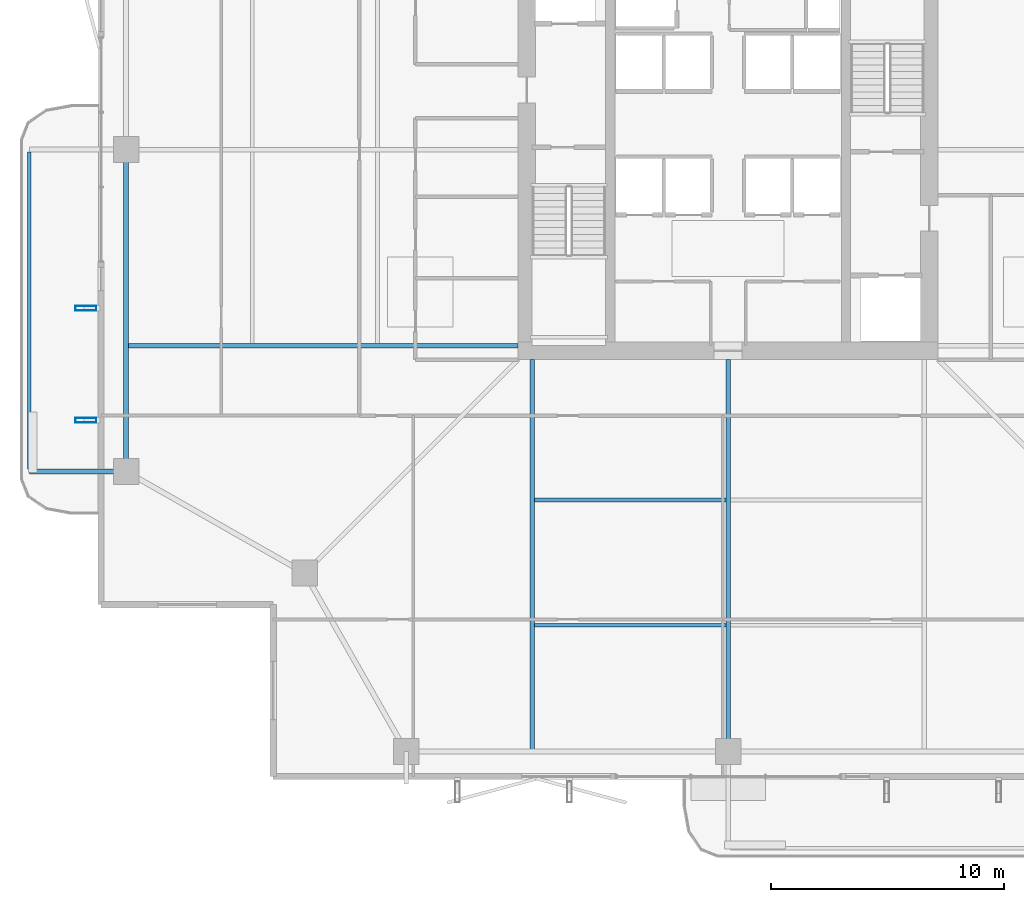
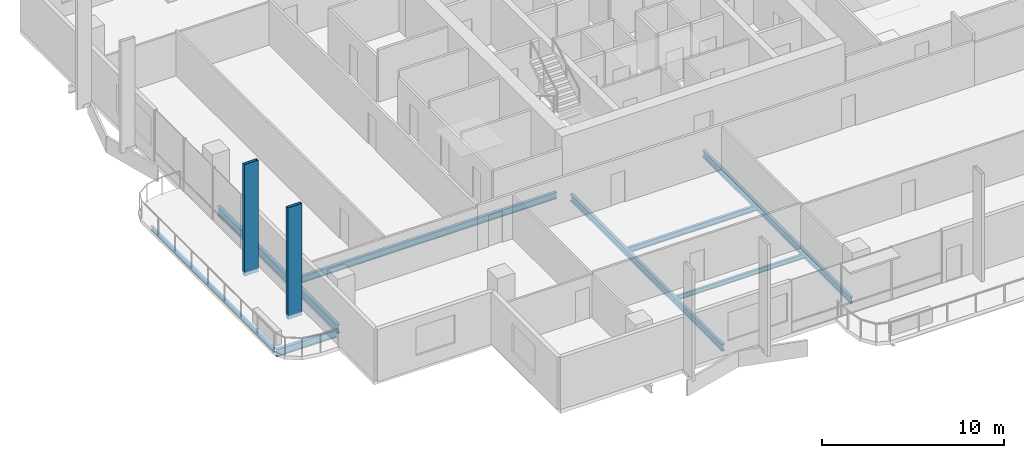
# One storey, part 3 of 24: 8 beams, 2 members.
"""IFC4 building model written with IfcOpenShell, lengths in metres."""

import ifcopenshell
import ifcopenshell.guid

model = None  # the IFC model being written
_history = None  # IfcOwnerHistory: only IFC2X3 demands one
_inside = {}  # id of a spatial element -> (the spatial element, [elements in it])
_under = {}  # id of a project, library or spatial element -> (it, [spatial elements below it])
_declared = {}  # id of a project -> (the project, [libraries it declares])
_typed = {}  # id of a type object -> (the type object, [elements of that type])
_made_of = {}  # id of a material, layer set ... -> (it, [elements and type objects made of it])


def new_model(schema):
    """Start an empty IFC model of exactly this schema.

    Asked for "IFC4X3", IfcOpenShell would pick the latest addendum, in which some entities
    have other attributes; the version numbers below select the first issue.
    IFC2X3 requires an IfcOwnerHistory on every rooted entity: one is made here for all.
    """
    global model, _history
    if schema == "IFC4X3":
        model = ifcopenshell.file(schema_version=(4, 3, 0, 0))
    else:
        model = ifcopenshell.file(schema=schema)
    _inside.clear()
    _under.clear()
    _declared.clear()
    _typed.clear()
    _made_of.clear()
    _history = None
    if model.schema == "IFC2X3":
        org = make("IfcOrganization", Name="unknown")
        user = make(
            "IfcPersonAndOrganization",
            ThePerson=make("IfcPerson", FamilyName="unknown"),
            TheOrganization=org,
        )
        app = make(
            "IfcApplication",
            ApplicationDeveloper=org,
            Version="unknown",
            ApplicationFullName="unknown",
            ApplicationIdentifier="unknown",
        )
        _history = make(
            "IfcOwnerHistory",
            OwningUser=user,
            OwningApplication=app,
            ChangeAction="ADDED",
            CreationDate=0,
        )
    return model


def make(cls, **values):
    """One entity of the class cls with the attributes given. An attribute that is None is left unset."""
    return model.create_entity(
        cls, **{name: value for name, value in values.items() if value is not None}
    )


def rooted(cls, **values):
    """An entity with a GlobalId (a new one), such as an element, a storey or a relation."""
    return make(cls, GlobalId=ifcopenshell.guid.new(), OwnerHistory=_history, **values)


def si_unit(unit_type, name, prefix=None):
    """IfcSIUnit, for example si_unit("LENGTHUNIT", "METRE", prefix="MILLI")."""
    return make("IfcSIUnit", UnitType=unit_type, Prefix=prefix, Name=name)


def assignment(units):
    """IfcUnitAssignment: the units of a project."""
    return None if units is None else make("IfcUnitAssignment", Units=units)


def point(xyz):
    """IfcCartesianPoint."""
    return None if xyz is None else make("IfcCartesianPoint", Coordinates=xyz)


def direction(xyz):
    """IfcDirection."""
    return None if xyz is None else make("IfcDirection", DirectionRatios=xyz)


def frame(location, z_axis=None, x_axis=None):
    """IfcAxis2Placement3D, a coordinate frame: its origin and axes. An axis left out is left unset."""
    return make(
        "IfcAxis2Placement3D",
        Location=point(location),
        Axis=direction(z_axis),
        RefDirection=direction(x_axis),
    )


def frame_2d(location, x_axis=None):
    """IfcAxis2Placement2D, a coordinate frame in the plane: its origin and x axis."""
    return make(
        "IfcAxis2Placement2D", Location=point(location), RefDirection=direction(x_axis)
    )


def origin():
    """The frame at (0, 0, 0) with its axes left unset."""
    return frame((0.0, 0.0, 0.0))


def origin_2d():
    """The frame at (0, 0) in the plane with its x axis left unset."""
    return frame_2d((0.0, 0.0))


def place(relative_to, where):
    """IfcLocalPlacement: puts the frame where relative to a parent placement (None: the world)."""
    return make(
        "IfcLocalPlacement", PlacementRelTo=relative_to, RelativePlacement=where
    )


def context(
    kind, dimensions, precision=None, world=None, true_north=None, identifier=None
):
    """IfcGeometricRepresentationContext, for example the 3D "Model" context."""
    return make(
        "IfcGeometricRepresentationContext",
        ContextIdentifier=identifier,
        ContextType=kind,
        CoordinateSpaceDimension=dimensions,
        Precision=precision,
        WorldCoordinateSystem=world,
        TrueNorth=true_north,
    )


def subcontext(parent, identifier, kind, view, scale=None):
    """IfcGeometricRepresentationSubContext, for example "Body" below "Model"."""
    return make(
        "IfcGeometricRepresentationSubContext",
        ContextIdentifier=identifier,
        ContextType=kind,
        ParentContext=parent,
        TargetScale=scale,
        TargetView=view,
    )


def project(units=None, contexts=None):
    """IfcProject with its units and contexts."""
    return rooted(
        "IfcProject",
        Name="project",
        RepresentationContexts=contexts,
        UnitsInContext=assignment(units),
    )


def spatial(cls, under=None, at=None, **own):
    """A site, building, storey or space (cls), placed at a placement, below another one or the project."""
    s = rooted(cls, ObjectPlacement=at, **own)
    if under is not None:
        _under.setdefault(under.id(), (under, []))[1].append(s)
    return s


def profile(cls, at=None, kind="AREA", **sizes):
    """A parametric profile (cls). Its sizes go by their IFC names, for example OverallWidth=200.0."""
    return make(cls, ProfileType=kind, Position=at, **sizes)


def hollow_rectangle(**sizes):
    """IfcRectangleHollowProfileDef."""
    return profile("IfcRectangleHollowProfileDef", **sizes)


def i_section(**sizes):
    """IfcIShapeProfileDef."""
    return profile("IfcIShapeProfileDef", **sizes)


def extrude(swept, where, along, depth):
    """IfcExtrudedAreaSolid: the profile swept, set in the frame where, extruded along a direction by depth."""
    return make(
        "IfcExtrudedAreaSolid",
        SweptArea=swept,
        Position=where,
        ExtrudedDirection=direction(along),
        Depth=depth,
    )


def shape(context_of_items, identifier, shape_type, items):
    """IfcShapeRepresentation: the items that make up one representation, for example the "Body"."""
    return make(
        "IfcShapeRepresentation",
        ContextOfItems=context_of_items,
        RepresentationIdentifier=identifier,
        RepresentationType=shape_type,
        Items=items,
    )


def material(Name=None, Category=None):
    """IfcMaterial."""
    return make("IfcMaterial", Name=Name, Category=Category)


def material_profile(
    of_material, cross_section, Name=None, Category=None, Priority=None
):
    """IfcMaterialProfile: a cross section and its material."""
    return make(
        "IfcMaterialProfile",
        Name=Name,
        Material=of_material,
        Profile=cross_section,
        Priority=Priority,
        Category=Category,
    )


def profile_set(profiles, Name=None, composite=None):
    """IfcMaterialProfileSet."""
    return make(
        "IfcMaterialProfileSet",
        Name=Name,
        MaterialProfiles=profiles,
        CompositeProfile=composite,
    )


def made_of(thing, what):
    """Note that an element or type object is made of a material, layer set ...; save() writes the relation."""
    if what is not None:
        _made_of.setdefault(what.id(), (what, []))[1].append(thing)
    return thing


def type_object(cls, material=None, **own):
    """A type object (cls), such as IfcWallType, which elements share."""
    return made_of(rooted(cls, **own), material)


def element(
    cls,
    number,
    at=None,
    inside=None,
    cuts=None,
    type_object=None,
    material=None,
    context=None,
    identifier="Body",
    shape_type=None,
    held_by="IfcProductDefinitionShape",
    body=None,
    shapes=None,
    **own,
):
    """One element of the class cls, such as IfcWall. Its Tag is "e" and its number.

    at: its placement. inside: the storey or other place that contains it. cuts: it is an
    opening in that element (IfcRelVoidsElement). A single representation is given by context,
    identifier, shape_type and body (its items); several are given by shapes. held_by: the class
    of the entity that holds the representations. save() writes the other relations.
    """
    e = rooted(cls, Tag="e%d" % number, ObjectPlacement=at, **own)
    if body is not None:
        shapes = [shape(context, identifier, shape_type, body)]
    if shapes is not None:
        e.Representation = make(held_by, Representations=shapes)
    if inside is not None:
        _inside.setdefault(inside.id(), (inside, []))[1].append(e)
    if cuts is not None:
        rooted(
            "IfcRelVoidsElement", RelatingBuildingElement=cuts, RelatedOpeningElement=e
        )
    if type_object is not None:
        _typed.setdefault(type_object.id(), (type_object, []))[1].append(e)
    return made_of(e, material)


def aggregate(whole, parts):
    """IfcRelAggregates: a whole, such as a stair, and the parts it consists of."""
    return rooted("IfcRelAggregates", RelatingObject=whole, RelatedObjects=parts)


def save(model, path):
    """Write the relations noted so far, then the file.

    IfcRelAggregates (storeys below a building ...), IfcRelContainedInSpatialStructure (elements
    in a storey), IfcRelDefinesByType, IfcRelAssociatesMaterial and IfcRelDeclares: one each for
    every whole, place, type object, material and project.
    """
    for whole, parts in _under.values():
        aggregate(whole, parts)
    for where, things in _inside.values():
        rooted(
            "IfcRelContainedInSpatialStructure",
            RelatedElements=things,
            RelatingStructure=where,
        )
    for kind, things in _typed.values():
        rooted("IfcRelDefinesByType", RelatedObjects=things, RelatingType=kind)
    for what, things in _made_of.values():
        rooted("IfcRelAssociatesMaterial", RelatedObjects=things, RelatingMaterial=what)
    for by, libraries in _declared.values():
        rooted("IfcRelDeclares", RelatingContext=by, RelatedDefinitions=libraries)
    model.write(path)


model = new_model("IFC4")

# Units and contexts
model_context = context("Model", 3, precision=1e-05, world=origin(), true_north=direction((0.0, 1.0)))
body_context = subcontext(model_context, "Body", "Model", "MODEL_VIEW")
ifc_project = project(units=[si_unit("LENGTHUNIT", "METRE"), si_unit("AREAUNIT", "SQUARE_METRE"), si_unit("VOLUMEUNIT", "CUBIC_METRE"), si_unit("PLANEANGLEUNIT", "RADIAN"), si_unit("MASSUNIT", "GRAM", prefix="KILO")], contexts=[model_context])

# Site, building, storey
site_placement = place(None, origin())
site = spatial("IfcSite", under=ifc_project, at=site_placement, CompositionType="ELEMENT")
building_placement = place(site_placement, origin())
building = spatial("IfcBuilding", under=site, at=building_placement, Name="Belovzor Exchange Tower", CompositionType="ELEMENT")
storey_placement = place(building_placement, frame((0.0, 0.0, 211.199951171875)))
storey = spatial("IfcBuildingStorey", under=building, at=storey_placement, Name="L52", CompositionType="ELEMENT", Elevation=211.199951171875)

# Beams
ifc_material_1 = material(Name="Steel S355", Category="steel")
ifc_material_profile_1 = material_profile(ifc_material_1, i_section(OverallWidth=0.199951171875, OverallDepth=0.5, WebThickness=0.01025390625, FlangeThickness=0.01611328125, at=origin_2d()))
ifc_profile_set_1 = profile_set([ifc_material_profile_1], Name="Steel S355")
beam_type_1 = type_object("IfcBeamType", Name="Planted Balcony Cantilever Beam IPE 500", PredefinedType="BEAM", material=ifc_profile_set_1)
beam_1_placement = place(storey_placement, frame((2.697021484375, 15.0, -0.5), z_axis=(-1.0, 0.0, 0.0), x_axis=(0.0, -1.0, 0.0)))
element("IfcBeam", 1, at=beam_1_placement, inside=storey, type_object=beam_type_1, Name="BC-500 Planted Balcony Cantilever Beam IPE 500", PredefinedType="BEAM", context=body_context, shape_type="SweptSolid", body=[
    extrude(i_section(OverallWidth=0.199951171875, OverallDepth=0.5, WebThickness=0.01025390625, FlangeThickness=0.01611328125, at=origin_2d()), origin(), (0.0, 0.0, 1.0), 3.85009765625),
])
ifc_material_2 = material(Name="Steel S355", Category="steel")
ifc_material_profile_2 = material_profile(ifc_material_2, i_section(OverallWidth=0.14990234375, OverallDepth=0.300048828125, WebThickness=0.007080078125, FlangeThickness=0.0107421875, at=origin_2d()))
ifc_profile_set_2 = profile_set([ifc_material_profile_2], Name="Steel S355")
beam_type_2 = type_object("IfcBeamType", Name="Planted Balcony Fascia Edge Beam IPE 300", PredefinedType="BEAM", material=ifc_profile_set_2)
beam_2_placement = place(storey_placement, frame((-1.153076171875, 28.699951171875, -0.39990234375), z_axis=(0.0, -1.0, 0.0), x_axis=(1.0, 0.0, 0.0)))
element("IfcBeam", 2, at=beam_2_placement, inside=storey, type_object=beam_type_2, Name="BC-300 Planted Balcony Fascia Edge Beam IPE 300", PredefinedType="BEAM", context=body_context, shape_type="SweptSolid", body=[
    extrude(i_section(OverallWidth=0.14990234375, OverallDepth=0.300048828125, WebThickness=0.007080078125, FlangeThickness=0.0107421875, at=origin_2d()), origin(), (0.0, 0.0, 1.0), 13.599853515625),
])
ifc_material_3 = material(Name="Steel S355", Category="steel")
ifc_material_profile_3 = material_profile(ifc_material_3, i_section(OverallWidth=0.169921875, OverallDepth=0.360107421875, WebThickness=0.008056640625, FlangeThickness=0.0126953125, at=origin_2d()))
ifc_profile_set_3 = profile_set([ifc_material_profile_3], Name="Steel S355")
beam_type_3 = type_object("IfcBeamType", Name="Secondary Infill Floor Joist IPE 360", PredefinedType="BEAM", material=ifc_profile_set_3)
beam_3_placement = place(storey_placement, frame((20.4951171875, 13.77197265625, -0.429931640625), z_axis=(1.0, 0.0, 0.0), x_axis=(0.0, 1.0, 0.0)))
element("IfcBeam", 3, at=beam_3_placement, inside=storey, type_object=beam_type_3, Name="FJ-360 Secondary Infill Floor Joist IPE 360", PredefinedType="BEAM", context=body_context, shape_type="SweptSolid", body=[
    extrude(i_section(OverallWidth=0.169921875, OverallDepth=0.360107421875, WebThickness=0.008056640625, FlangeThickness=0.0126953125, at=origin_2d()), origin(), (0.0, 0.0, 1.0), 8.2099609375),
])
ifc_material_4 = material(Name="Steel S355", Category="steel")
ifc_material_profile_4 = material_profile(ifc_material_4, i_section(OverallWidth=0.14990234375, OverallDepth=0.300048828125, WebThickness=0.007080078125, FlangeThickness=0.0107421875, at=origin_2d()))
ifc_profile_set_4 = profile_set([ifc_material_profile_4], Name="Steel S355")
beam_type_4 = type_object("IfcBeamType", Name="Secondary Trim Floor Joist IPE 300", PredefinedType="BEAM", material=ifc_profile_set_4)
beam_4_placement = place(storey_placement, frame((20.4951171875, 8.4130859375, -0.39990234375), z_axis=(1.0, 0.0, 0.0), x_axis=(0.0, 1.0, 0.0)))
element("IfcBeam", 4, at=beam_4_placement, inside=storey, type_object=beam_type_4, Name="FJ-300 Secondary Trim Floor Joist IPE 300", PredefinedType="BEAM", context=body_context, shape_type="SweptSolid", body=[
    extrude(i_section(OverallWidth=0.14990234375, OverallDepth=0.300048828125, WebThickness=0.007080078125, FlangeThickness=0.0107421875, at=origin_2d()), origin(), (0.0, 0.0, 1.0), 8.2099609375),
])

# Members
ifc_material_5 = material(Name="Extruded Architectural Terracotta on Steel S355 Carrier", Category="masonry")
ifc_material_profile_5 = material_profile(ifc_material_5, hollow_rectangle(XDim=0.199951171875, YDim=0.89990234375, WallThickness=0.011962890625, at=origin_2d()))
ifc_profile_set_5 = profile_set([ifc_material_profile_5], Name="Extruded Architectural Terracotta on Steel S355 Carrier")
member_type = type_object("IfcMemberType", Name="Sweeping Terracotta Baguette Fin Assembly 950", PredefinedType="USERDEFINED", material=ifc_profile_set_5)
for number, where, z_axis, x_axis, name in (
    (5, (1.27490234375, 17.199951171875, -0.25), (0.0, 0.0, 1.0), (0.0, 1.0, 0.0), "FIN-TC095 Terracotta Facade Fin L52 W1"),
    (6, (1.27490234375, 22.0, -0.25), (0.0, 0.0, 1.0), (0.0, 1.0, 0.0), "FIN-TC095 Terracotta Facade Fin L52 W2"),
):
    element("IfcMember", number, at=place(storey_placement, frame(where, z_axis=z_axis, x_axis=x_axis)), inside=storey, type_object=member_type, Name=name, ObjectType="FIN", PredefinedType="USERDEFINED", context=body_context, shape_type="SweptSolid", body=[
        extrude(hollow_rectangle(XDim=0.199951171875, YDim=0.89990234375, WallThickness=0.011962890625, at=origin_2d()), origin(), (0.0, 0.0, 1.0), 7.5),
    ])

# Beams
ifc_material_6 = material(Name="Steel S355", Category="steel")
ifc_material_profile_6 = material_profile(ifc_material_6, i_section(OverallWidth=0.18994140625, OverallDepth=0.449951171875, WebThickness=0.009521484375, FlangeThickness=0.0146484375, at=origin_2d()))
ifc_profile_set_6 = profile_set([ifc_material_profile_6], Name="Steel S355")
beam_type_5 = type_object("IfcBeamType", Name="Zone 2-4 Radial Composite Floor Beam IPE 450", PredefinedType="BEAM", material=ifc_profile_set_6)
beam_5_placement = place(storey_placement, frame((20.39990234375, 19.800048828125, -0.474853515625), z_axis=(0.0, -1.0, 0.0), x_axis=(1.0, 0.0, 0.0)))
element("IfcBeam", 7, at=beam_5_placement, inside=storey, type_object=beam_type_5, Name="FB-450 Zone 2-4 Radial Composite Floor Beam IPE 450", PredefinedType="BEAM", context=body_context, shape_type="SweptSolid", body=[
    extrude(i_section(OverallWidth=0.18994140625, OverallDepth=0.449951171875, WebThickness=0.009521484375, FlangeThickness=0.0146484375, at=origin_2d()), origin(), (0.0, 0.0, 1.0), 16.7451171875),
])
beam_6_placement = place(storey_placement, frame((28.800048828125, 19.800048828125, -0.474853515625), z_axis=(0.0, -1.0, 0.0), x_axis=(1.0, 0.0, 0.0)))
element("IfcBeam", 8, at=beam_6_placement, inside=storey, type_object=beam_type_5, Name="FB-450 Zone 2-4 Radial Composite Floor Beam IPE 450", PredefinedType="BEAM", context=body_context, shape_type="SweptSolid", body=[
    extrude(i_section(OverallWidth=0.18994140625, OverallDepth=0.449951171875, WebThickness=0.009521484375, FlangeThickness=0.0146484375, at=origin_2d()), origin(), (0.0, 0.0, 1.0), 16.316162109375),
])
beam_7_placement = place(storey_placement, frame((19.800048828125, 20.39990234375, -0.474853515625), z_axis=(-1.0, 0.0, 0.0), x_axis=(0.0, -1.0, 0.0)))
element("IfcBeam", 9, at=beam_7_placement, inside=storey, type_object=beam_type_5, Name="FB-450 Zone 2-4 Radial Composite Floor Beam IPE 450", PredefinedType="BEAM", context=body_context, shape_type="SweptSolid", body=[
    extrude(i_section(OverallWidth=0.18994140625, OverallDepth=0.449951171875, WebThickness=0.009521484375, FlangeThickness=0.0146484375, at=origin_2d()), origin(), (0.0, 0.0, 1.0), 16.7451171875),
])
ifc_material_7 = material(Name="Steel S355", Category="steel")
ifc_material_profile_7 = material_profile(ifc_material_7, i_section(OverallWidth=0.219970703125, OverallDepth=0.60009765625, WebThickness=0.011962890625, FlangeThickness=0.01904296875, at=origin_2d()))
ifc_profile_set_7 = profile_set([ifc_material_profile_7], Name="Steel S355")
beam_type_6 = type_object("IfcBeamType", Name="Zone 4 Flare Primary Girder IPE 600", PredefinedType="BEAM", material=ifc_profile_set_7)
beam_8_placement = place(storey_placement, frame((3.0, 28.498046875, -0.550048828125), z_axis=(0.0, -1.0, 0.0), x_axis=(1.0, 0.0, 0.0)))
element("IfcBeam", 10, at=beam_8_placement, inside=storey, type_object=beam_type_6, Name="FG-Z4 Zone 4 Flare Primary Girder IPE 600", PredefinedType="BEAM", context=body_context, shape_type="SweptSolid", body=[
    extrude(i_section(OverallWidth=0.219970703125, OverallDepth=0.60009765625, WebThickness=0.011962890625, FlangeThickness=0.01904296875, at=origin_2d()), origin(), (0.0, 0.0, 1.0), 13.195068359375),
])

save(model, "model.ifc")
